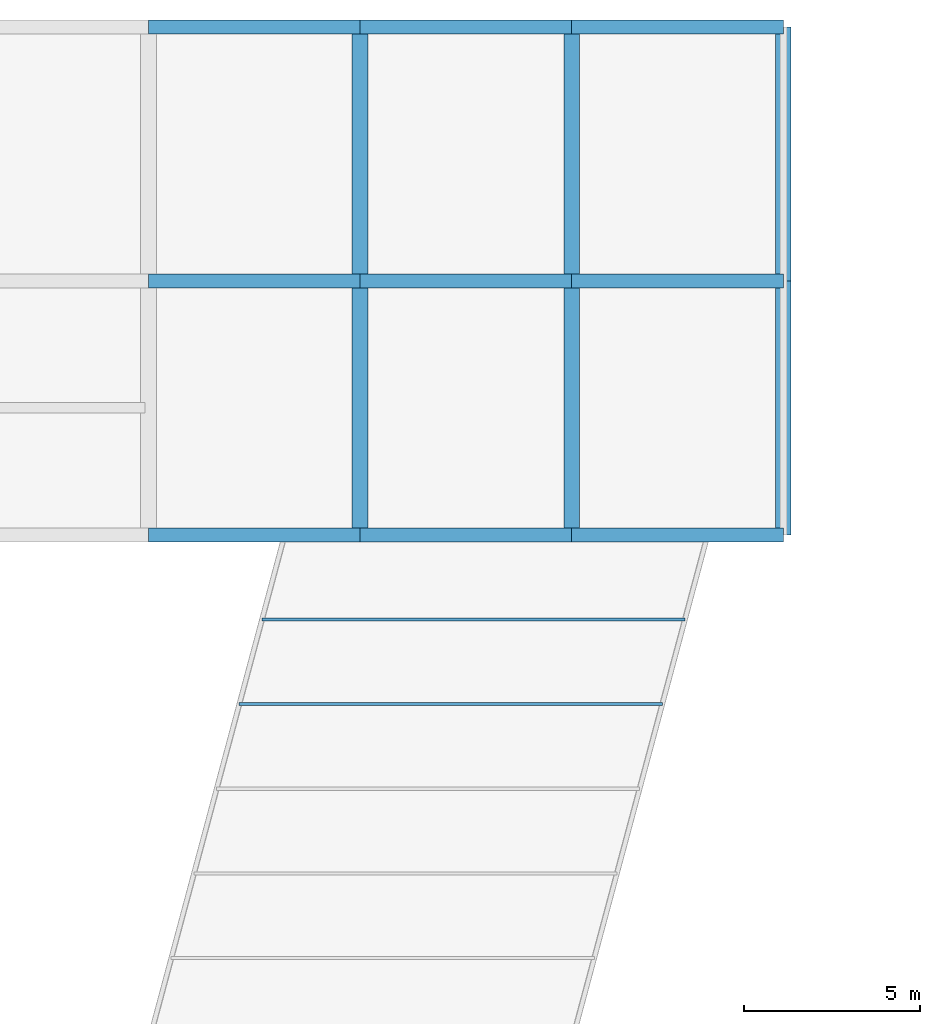
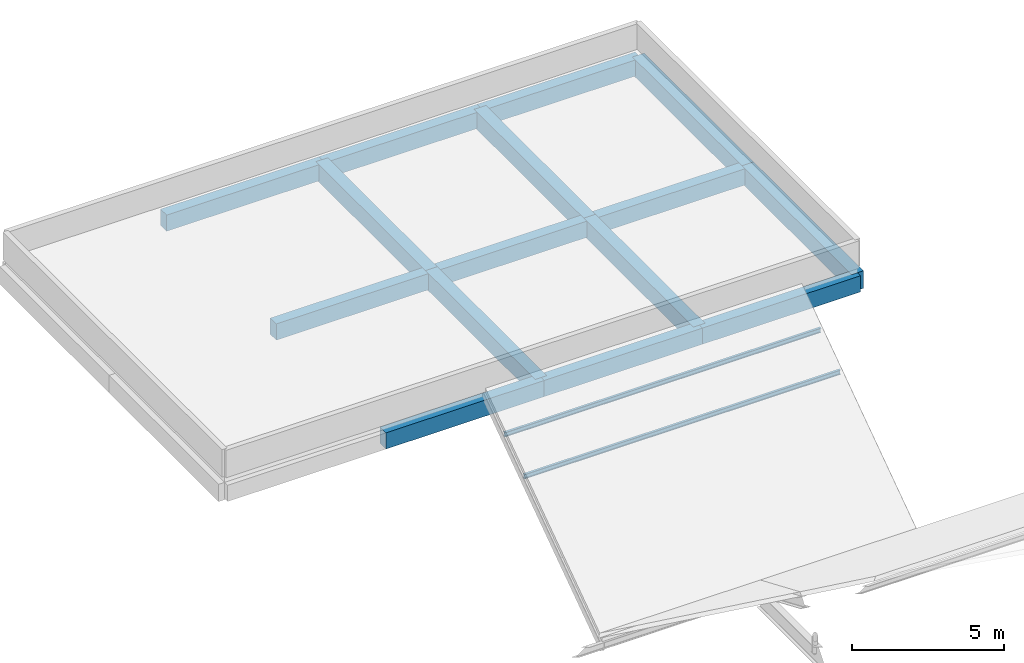
# One storey, part 188 of 239: 15 beams, 2 members.
"""IFC4 building model written with IfcOpenShell, lengths in metres."""

import ifcopenshell
import ifcopenshell.guid

model = None  # the IFC model being written
_history = None  # IfcOwnerHistory: only IFC2X3 demands one
_inside = {}  # id of a spatial element -> (the spatial element, [elements in it])
_under = {}  # id of a project, library or spatial element -> (it, [spatial elements below it])
_declared = {}  # id of a project -> (the project, [libraries it declares])
_typed = {}  # id of a type object -> (the type object, [elements of that type])
_made_of = {}  # id of a material, layer set ... -> (it, [elements and type objects made of it])


def new_model(schema):
    """Start an empty IFC model of exactly this schema.

    Asked for "IFC4X3", IfcOpenShell would pick the latest addendum, in which some entities
    have other attributes; the version numbers below select the first issue.
    IFC2X3 requires an IfcOwnerHistory on every rooted entity: one is made here for all.
    """
    global model, _history
    if schema == "IFC4X3":
        model = ifcopenshell.file(schema_version=(4, 3, 0, 0))
    else:
        model = ifcopenshell.file(schema=schema)
    _inside.clear()
    _under.clear()
    _declared.clear()
    _typed.clear()
    _made_of.clear()
    _history = None
    if model.schema == "IFC2X3":
        org = make("IfcOrganization", Name="unknown")
        user = make(
            "IfcPersonAndOrganization",
            ThePerson=make("IfcPerson", FamilyName="unknown"),
            TheOrganization=org,
        )
        app = make(
            "IfcApplication",
            ApplicationDeveloper=org,
            Version="unknown",
            ApplicationFullName="unknown",
            ApplicationIdentifier="unknown",
        )
        _history = make(
            "IfcOwnerHistory",
            OwningUser=user,
            OwningApplication=app,
            ChangeAction="ADDED",
            CreationDate=0,
        )
    return model


def make(cls, **values):
    """One entity of the class cls with the attributes given. An attribute that is None is left unset."""
    return model.create_entity(
        cls, **{name: value for name, value in values.items() if value is not None}
    )


def rooted(cls, **values):
    """An entity with a GlobalId (a new one), such as an element, a storey or a relation."""
    return make(cls, GlobalId=ifcopenshell.guid.new(), OwnerHistory=_history, **values)


def si_unit(unit_type, name, prefix=None):
    """IfcSIUnit, for example si_unit("LENGTHUNIT", "METRE", prefix="MILLI")."""
    return make("IfcSIUnit", UnitType=unit_type, Prefix=prefix, Name=name)


def assignment(units):
    """IfcUnitAssignment: the units of a project."""
    return None if units is None else make("IfcUnitAssignment", Units=units)


def point(xyz):
    """IfcCartesianPoint."""
    return None if xyz is None else make("IfcCartesianPoint", Coordinates=xyz)


def direction(xyz):
    """IfcDirection."""
    return None if xyz is None else make("IfcDirection", DirectionRatios=xyz)


def frame(location, z_axis=None, x_axis=None):
    """IfcAxis2Placement3D, a coordinate frame: its origin and axes. An axis left out is left unset."""
    return make(
        "IfcAxis2Placement3D",
        Location=point(location),
        Axis=direction(z_axis),
        RefDirection=direction(x_axis),
    )


def frame_2d(location, x_axis=None):
    """IfcAxis2Placement2D, a coordinate frame in the plane: its origin and x axis."""
    return make(
        "IfcAxis2Placement2D", Location=point(location), RefDirection=direction(x_axis)
    )


def origin():
    """The frame at (0, 0, 0) with its axes left unset."""
    return frame((0.0, 0.0, 0.0))


def origin_2d():
    """The frame at (0, 0) in the plane with its x axis left unset."""
    return frame_2d((0.0, 0.0))


def place(relative_to, where):
    """IfcLocalPlacement: puts the frame where relative to a parent placement (None: the world)."""
    return make(
        "IfcLocalPlacement", PlacementRelTo=relative_to, RelativePlacement=where
    )


def context(
    kind, dimensions, precision=None, world=None, true_north=None, identifier=None
):
    """IfcGeometricRepresentationContext, for example the 3D "Model" context."""
    return make(
        "IfcGeometricRepresentationContext",
        ContextIdentifier=identifier,
        ContextType=kind,
        CoordinateSpaceDimension=dimensions,
        Precision=precision,
        WorldCoordinateSystem=world,
        TrueNorth=true_north,
    )


def subcontext(parent, identifier, kind, view, scale=None):
    """IfcGeometricRepresentationSubContext, for example "Body" below "Model"."""
    return make(
        "IfcGeometricRepresentationSubContext",
        ContextIdentifier=identifier,
        ContextType=kind,
        ParentContext=parent,
        TargetScale=scale,
        TargetView=view,
    )


def project(units=None, contexts=None):
    """IfcProject with its units and contexts."""
    return rooted(
        "IfcProject",
        Name="project",
        RepresentationContexts=contexts,
        UnitsInContext=assignment(units),
    )


def spatial(cls, under=None, at=None, **own):
    """A site, building, storey or space (cls), placed at a placement, below another one or the project."""
    s = rooted(cls, ObjectPlacement=at, **own)
    if under is not None:
        _under.setdefault(under.id(), (under, []))[1].append(s)
    return s


def profile(cls, at=None, kind="AREA", **sizes):
    """A parametric profile (cls). Its sizes go by their IFC names, for example OverallWidth=200.0."""
    return make(cls, ProfileType=kind, Position=at, **sizes)


def rectangle(**sizes):
    """IfcRectangleProfileDef."""
    return profile("IfcRectangleProfileDef", **sizes)


def i_section(**sizes):
    """IfcIShapeProfileDef."""
    return profile("IfcIShapeProfileDef", **sizes)


def extrude(swept, where, along, depth):
    """IfcExtrudedAreaSolid: the profile swept, set in the frame where, extruded along a direction by depth."""
    return make(
        "IfcExtrudedAreaSolid",
        SweptArea=swept,
        Position=where,
        ExtrudedDirection=direction(along),
        Depth=depth,
    )


def shape(context_of_items, identifier, shape_type, items):
    """IfcShapeRepresentation: the items that make up one representation, for example the "Body"."""
    return make(
        "IfcShapeRepresentation",
        ContextOfItems=context_of_items,
        RepresentationIdentifier=identifier,
        RepresentationType=shape_type,
        Items=items,
    )


def material(Name=None, Category=None):
    """IfcMaterial."""
    return make("IfcMaterial", Name=Name, Category=Category)


def material_profile(
    of_material, cross_section, Name=None, Category=None, Priority=None
):
    """IfcMaterialProfile: a cross section and its material."""
    return make(
        "IfcMaterialProfile",
        Name=Name,
        Material=of_material,
        Profile=cross_section,
        Priority=Priority,
        Category=Category,
    )


def profile_set(profiles, Name=None, composite=None):
    """IfcMaterialProfileSet."""
    return make(
        "IfcMaterialProfileSet",
        Name=Name,
        MaterialProfiles=profiles,
        CompositeProfile=composite,
    )


def made_of(thing, what):
    """Note that an element or type object is made of a material, layer set ...; save() writes the relation."""
    if what is not None:
        _made_of.setdefault(what.id(), (what, []))[1].append(thing)
    return thing


def type_object(cls, material=None, **own):
    """A type object (cls), such as IfcWallType, which elements share."""
    return made_of(rooted(cls, **own), material)


def element(
    cls,
    number,
    at=None,
    inside=None,
    cuts=None,
    type_object=None,
    material=None,
    context=None,
    identifier="Body",
    shape_type=None,
    held_by="IfcProductDefinitionShape",
    body=None,
    shapes=None,
    **own,
):
    """One element of the class cls, such as IfcWall. Its Tag is "e" and its number.

    at: its placement. inside: the storey or other place that contains it. cuts: it is an
    opening in that element (IfcRelVoidsElement). A single representation is given by context,
    identifier, shape_type and body (its items); several are given by shapes. held_by: the class
    of the entity that holds the representations. save() writes the other relations.
    """
    e = rooted(cls, Tag="e%d" % number, ObjectPlacement=at, **own)
    if body is not None:
        shapes = [shape(context, identifier, shape_type, body)]
    if shapes is not None:
        e.Representation = make(held_by, Representations=shapes)
    if inside is not None:
        _inside.setdefault(inside.id(), (inside, []))[1].append(e)
    if cuts is not None:
        rooted(
            "IfcRelVoidsElement", RelatingBuildingElement=cuts, RelatedOpeningElement=e
        )
    if type_object is not None:
        _typed.setdefault(type_object.id(), (type_object, []))[1].append(e)
    return made_of(e, material)


def aggregate(whole, parts):
    """IfcRelAggregates: a whole, such as a stair, and the parts it consists of."""
    return rooted("IfcRelAggregates", RelatingObject=whole, RelatedObjects=parts)


def save(model, path):
    """Write the relations noted so far, then the file.

    IfcRelAggregates (storeys below a building ...), IfcRelContainedInSpatialStructure (elements
    in a storey), IfcRelDefinesByType, IfcRelAssociatesMaterial and IfcRelDeclares: one each for
    every whole, place, type object, material and project.
    """
    for whole, parts in _under.values():
        aggregate(whole, parts)
    for where, things in _inside.values():
        rooted(
            "IfcRelContainedInSpatialStructure",
            RelatedElements=things,
            RelatingStructure=where,
        )
    for kind, things in _typed.values():
        rooted("IfcRelDefinesByType", RelatedObjects=things, RelatingType=kind)
    for what, things in _made_of.values():
        rooted("IfcRelAssociatesMaterial", RelatedObjects=things, RelatingMaterial=what)
    for by, libraries in _declared.values():
        rooted("IfcRelDeclares", RelatingContext=by, RelatedDefinitions=libraries)
    model.write(path)


model = new_model("IFC4")

# Units and contexts
model_context = context("Model", 3, precision=1e-05, world=origin(), true_north=direction((0.0, 1.0)))
body_context = subcontext(model_context, "Body", "Model", "MODEL_VIEW")
ifc_project = project(units=[si_unit("LENGTHUNIT", "METRE"), si_unit("AREAUNIT", "SQUARE_METRE"), si_unit("VOLUMEUNIT", "CUBIC_METRE"), si_unit("PLANEANGLEUNIT", "RADIAN"), si_unit("MASSUNIT", "GRAM", prefix="KILO")], contexts=[model_context])

# Site, building, storey
site_placement = place(None, origin())
site = spatial("IfcSite", under=ifc_project, at=site_placement, CompositionType="ELEMENT")
building_placement = place(site_placement, origin())
building = spatial("IfcBuilding", under=site, at=building_placement, Name="Dunvalen Ferry Terminal", CompositionType="ELEMENT")
storey_placement = place(building_placement, frame((0.0, 0.0, 9.840087890625)))
storey = spatial("IfcBuildingStorey", under=building, at=storey_placement, Name="L02", CompositionType="ELEMENT", Elevation=9.840087890625)

# Beams
ifc_material_1 = material(Name="Concrete C40/50", Category="concrete")
ifc_material_profile_1 = material_profile(ifc_material_1, rectangle(XDim=0.39990234375, YDim=0.64990234375, at=origin_2d()), Name="Concrete C40/50")
ifc_profile_set_1 = profile_set([ifc_material_profile_1], Name="Concrete C40/50")
beam_type_1 = type_object("IfcBeamType", Name="STR-BM-RCB650", PredefinedType="BEAM", material=ifc_profile_set_1)
for number, where, z_axis, x_axis, name in (
    (1, (126.0, 100.800048828125, -0.565185546875), (1.0, 0.0, 0.0), (0.0, 1.0, 0.0), "L02 V3B2 Primary Beam X-002"),
    (2, (132.0, 100.800048828125, -0.565185546875), (1.0, 0.0, 0.0), (0.0, 1.0, 0.0), "L02 V3B2 Primary Beam X-003"),
    (3, (138.0, 100.800048828125, -0.565185546875), (1.0, 0.0, 0.0), (0.0, 1.0, 0.0), "L02 V3B2 Primary Beam X-004"),
    (4, (126.0, 108.0, -0.565185546875), (1.0, 0.0, 0.0), (0.0, 1.0, 0.0), "L02 V3B2 Primary Beam X-006"),
    (5, (132.0, 108.0, -0.565185546875), (1.0, 0.0, 0.0), (0.0, 1.0, 0.0), "L02 V3B2 Primary Beam X-007"),
    (6, (138.0, 108.0, -0.565185546875), (1.0, 0.0, 0.0), (0.0, 1.0, 0.0), "L02 V3B2 Primary Beam X-008"),
    (7, (126.0, 115.199951171875, -0.565185546875), (1.0, 0.0, 0.0), (0.0, 1.0, 0.0), "L02 V3B2 Primary Beam X-010"),
    (8, (132.0, 115.199951171875, -0.565185546875), (1.0, 0.0, 0.0), (0.0, 1.0, 0.0), "L02 V3B2 Primary Beam X-011"),
    (9, (138.0, 115.199951171875, -0.565185546875), (1.0, 0.0, 0.0), (0.0, 1.0, 0.0), "L02 V3B2 Primary Beam X-012"),
):
    element("IfcBeam", number, at=place(storey_placement, frame(where, z_axis=z_axis, x_axis=x_axis)), inside=storey, type_object=beam_type_1, Name=name, PredefinedType="BEAM", context=body_context, shape_type="SweptSolid", body=[
        extrude(rectangle(XDim=0.39990234375, YDim=0.64990234375, at=origin_2d()), origin(), (0.0, 0.0, 1.0), 6.0),
    ])
ifc_material_profile_2 = material_profile(ifc_material_1, rectangle(XDim=0.449951171875, YDim=0.699951171875, at=origin_2d()), Name="Concrete C40/50")
ifc_profile_set_2 = profile_set([ifc_material_profile_2], Name="Concrete C40/50")
beam_type_2 = type_object("IfcBeamType", Name="STR-BM-RCB700", PredefinedType="BEAM", material=ifc_profile_set_2)
for number, where, z_axis, x_axis, name in (
    (10, (132.0, 100.800048828125, -0.590087890625), (0.0, 1.0, 0.0), (-1.0, 0.0, 0.0), "L02 V3B2 Primary Girder Y-017"),
    (11, (132.0, 108.0, -0.590087890625), (0.0, 1.0, 0.0), (-1.0, 0.0, 0.0), "L02 V3B2 Primary Girder Y-018"),
    (12, (138.0, 100.800048828125, -0.590087890625), (0.0, 1.0, 0.0), (-1.0, 0.0, 0.0), "L02 V3B2 Primary Girder Y-019"),
    (13, (138.0, 108.0, -0.590087890625), (0.0, 1.0, 0.0), (-1.0, 0.0, 0.0), "L02 V3B2 Primary Girder Y-020"),
    (14, (144.0, 100.800048828125, -0.590087890625), (0.0, 1.0, 0.0), (-1.0, 0.0, 0.0), "L02 V3B2 Primary Girder Y-021"),
    (15, (144.0, 108.0, -0.590087890625), (0.0, 1.0, 0.0), (-1.0, 0.0, 0.0), "L02 V3B2 Primary Girder Y-022"),
):
    element("IfcBeam", number, at=place(storey_placement, frame(where, z_axis=z_axis, x_axis=x_axis)), inside=storey, type_object=beam_type_2, Name=name, PredefinedType="BEAM", context=body_context, shape_type="SweptSolid", body=[
        extrude(rectangle(XDim=0.449951171875, YDim=0.699951171875, at=origin_2d()), origin(), (0.0, 0.0, 1.0), 7.199951171875),
    ])

# Members
ifc_material_2 = material(Name="Steel S355", Category="steel")
ifc_material_profile_3 = material_profile(ifc_material_2, i_section(OverallWidth=0.091064453125, OverallDepth=0.179931640625, WebThickness=0.00537109375, FlangeThickness=0.008056640625, FilletRadius=0.009033203125, at=origin_2d()), Name="Steel S355")
ifc_profile_set_3 = profile_set([ifc_material_profile_3], Name="Steel S355")
member_type = type_object("IfcMemberType", Name="STR-MB-IPE180", PredefinedType="PURLIN", material=ifc_profile_set_3)
for number, where, z_axis, x_axis, name in (
    (16, (128.572265625, 96.0, -0.090087890625), (1.0, 0.0, 0.0), (0.0, 1.0, 0.0), "Boarding Bridge 2 Roof Purlin 4"),
    (17, (129.21533203125, 98.39990234375, -0.090087890625), (1.0, 0.0, 0.0), (0.0, 1.0, 0.0), "Boarding Bridge 2 Roof Purlin 5"),
):
    element("IfcMember", number, at=place(storey_placement, frame(where, z_axis=z_axis, x_axis=x_axis)), inside=storey, type_object=member_type, Name=name, PredefinedType="PURLIN", context=body_context, shape_type="SweptSolid", body=[
        extrude(i_section(OverallWidth=0.091064453125, OverallDepth=0.179931640625, WebThickness=0.00537109375, FlangeThickness=0.008056640625, FilletRadius=0.009033203125, at=origin_2d()), origin(), (0.0, 0.0, 1.0), 12.0),
    ])

save(model, "model.ifc")
